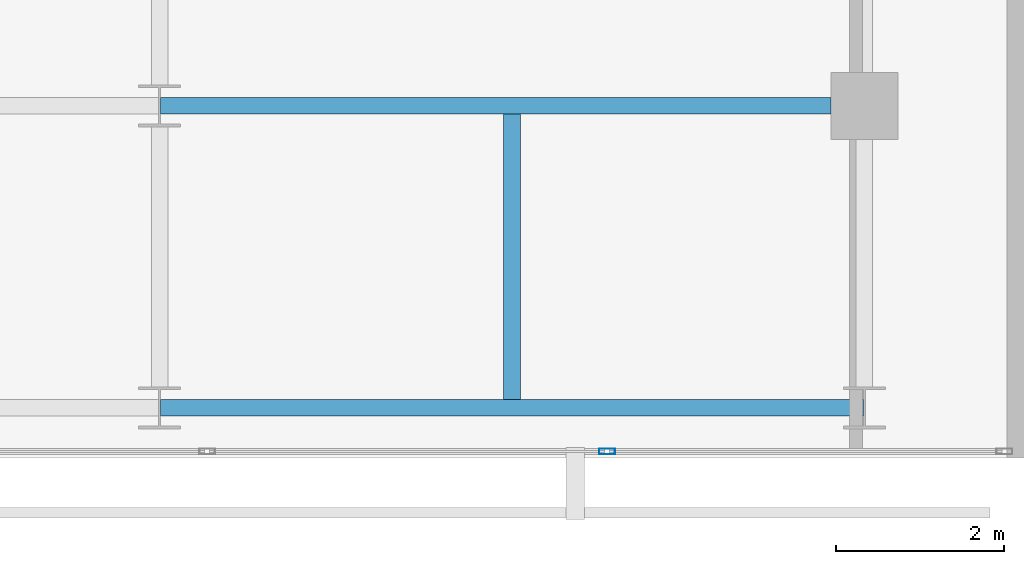
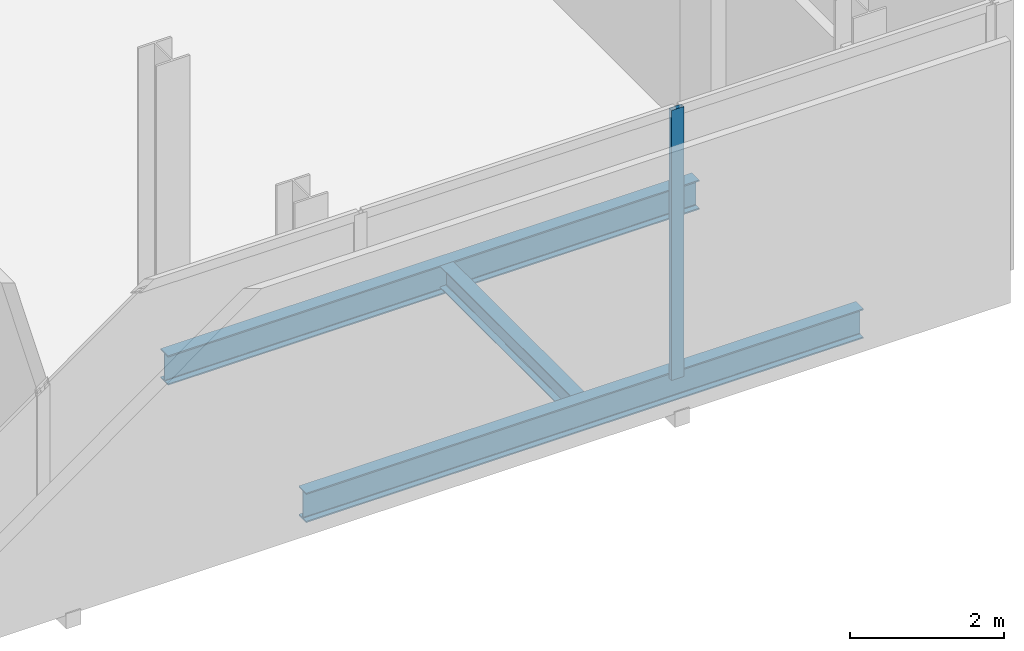
# One storey, part 5 of 23: 3 beams, 1 member, 1 element without a shape of its own.
"""IFC4 building model written with IfcOpenShell, lengths in metres."""

import ifcopenshell
import ifcopenshell.guid

model = None  # the IFC model being written
_history = None  # IfcOwnerHistory: only IFC2X3 demands one
_inside = {}  # id of a spatial element -> (the spatial element, [elements in it])
_under = {}  # id of a project, library or spatial element -> (it, [spatial elements below it])
_declared = {}  # id of a project -> (the project, [libraries it declares])
_typed = {}  # id of a type object -> (the type object, [elements of that type])
_made_of = {}  # id of a material, layer set ... -> (it, [elements and type objects made of it])


def new_model(schema):
    """Start an empty IFC model of exactly this schema.

    Asked for "IFC4X3", IfcOpenShell would pick the latest addendum, in which some entities
    have other attributes; the version numbers below select the first issue.
    IFC2X3 requires an IfcOwnerHistory on every rooted entity: one is made here for all.
    """
    global model, _history
    if schema == "IFC4X3":
        model = ifcopenshell.file(schema_version=(4, 3, 0, 0))
    else:
        model = ifcopenshell.file(schema=schema)
    _inside.clear()
    _under.clear()
    _declared.clear()
    _typed.clear()
    _made_of.clear()
    _history = None
    if model.schema == "IFC2X3":
        org = make("IfcOrganization", Name="unknown")
        user = make(
            "IfcPersonAndOrganization",
            ThePerson=make("IfcPerson", FamilyName="unknown"),
            TheOrganization=org,
        )
        app = make(
            "IfcApplication",
            ApplicationDeveloper=org,
            Version="unknown",
            ApplicationFullName="unknown",
            ApplicationIdentifier="unknown",
        )
        _history = make(
            "IfcOwnerHistory",
            OwningUser=user,
            OwningApplication=app,
            ChangeAction="ADDED",
            CreationDate=0,
        )
    return model


def make(cls, **values):
    """One entity of the class cls with the attributes given. An attribute that is None is left unset."""
    return model.create_entity(
        cls, **{name: value for name, value in values.items() if value is not None}
    )


def rooted(cls, **values):
    """An entity with a GlobalId (a new one), such as an element, a storey or a relation."""
    return make(cls, GlobalId=ifcopenshell.guid.new(), OwnerHistory=_history, **values)


def si_unit(unit_type, name, prefix=None):
    """IfcSIUnit, for example si_unit("LENGTHUNIT", "METRE", prefix="MILLI")."""
    return make("IfcSIUnit", UnitType=unit_type, Prefix=prefix, Name=name)


def assignment(units):
    """IfcUnitAssignment: the units of a project."""
    return None if units is None else make("IfcUnitAssignment", Units=units)


def point(xyz):
    """IfcCartesianPoint."""
    return None if xyz is None else make("IfcCartesianPoint", Coordinates=xyz)


def direction(xyz):
    """IfcDirection."""
    return None if xyz is None else make("IfcDirection", DirectionRatios=xyz)


def frame(location, z_axis=None, x_axis=None):
    """IfcAxis2Placement3D, a coordinate frame: its origin and axes. An axis left out is left unset."""
    return make(
        "IfcAxis2Placement3D",
        Location=point(location),
        Axis=direction(z_axis),
        RefDirection=direction(x_axis),
    )


def frame_2d(location, x_axis=None):
    """IfcAxis2Placement2D, a coordinate frame in the plane: its origin and x axis."""
    return make(
        "IfcAxis2Placement2D", Location=point(location), RefDirection=direction(x_axis)
    )


def origin():
    """The frame at (0, 0, 0) with its axes left unset."""
    return frame((0.0, 0.0, 0.0))


def origin_2d():
    """The frame at (0, 0) in the plane with its x axis left unset."""
    return frame_2d((0.0, 0.0))


def place(relative_to, where):
    """IfcLocalPlacement: puts the frame where relative to a parent placement (None: the world)."""
    return make(
        "IfcLocalPlacement", PlacementRelTo=relative_to, RelativePlacement=where
    )


def context(
    kind, dimensions, precision=None, world=None, true_north=None, identifier=None
):
    """IfcGeometricRepresentationContext, for example the 3D "Model" context."""
    return make(
        "IfcGeometricRepresentationContext",
        ContextIdentifier=identifier,
        ContextType=kind,
        CoordinateSpaceDimension=dimensions,
        Precision=precision,
        WorldCoordinateSystem=world,
        TrueNorth=true_north,
    )


def subcontext(parent, identifier, kind, view, scale=None):
    """IfcGeometricRepresentationSubContext, for example "Body" below "Model"."""
    return make(
        "IfcGeometricRepresentationSubContext",
        ContextIdentifier=identifier,
        ContextType=kind,
        ParentContext=parent,
        TargetScale=scale,
        TargetView=view,
    )


def project(units=None, contexts=None):
    """IfcProject with its units and contexts."""
    return rooted(
        "IfcProject",
        Name="project",
        RepresentationContexts=contexts,
        UnitsInContext=assignment(units),
    )


def spatial(cls, under=None, at=None, **own):
    """A site, building, storey or space (cls), placed at a placement, below another one or the project."""
    s = rooted(cls, ObjectPlacement=at, **own)
    if under is not None:
        _under.setdefault(under.id(), (under, []))[1].append(s)
    return s


def profile(cls, at=None, kind="AREA", **sizes):
    """A parametric profile (cls). Its sizes go by their IFC names, for example OverallWidth=200.0."""
    return make(cls, ProfileType=kind, Position=at, **sizes)


def hollow_rectangle(**sizes):
    """IfcRectangleHollowProfileDef."""
    return profile("IfcRectangleHollowProfileDef", **sizes)


def i_section(**sizes):
    """IfcIShapeProfileDef."""
    return profile("IfcIShapeProfileDef", **sizes)


def extrude(swept, where, along, depth):
    """IfcExtrudedAreaSolid: the profile swept, set in the frame where, extruded along a direction by depth."""
    return make(
        "IfcExtrudedAreaSolid",
        SweptArea=swept,
        Position=where,
        ExtrudedDirection=direction(along),
        Depth=depth,
    )


def shape(context_of_items, identifier, shape_type, items):
    """IfcShapeRepresentation: the items that make up one representation, for example the "Body"."""
    return make(
        "IfcShapeRepresentation",
        ContextOfItems=context_of_items,
        RepresentationIdentifier=identifier,
        RepresentationType=shape_type,
        Items=items,
    )


def material(Name=None, Category=None):
    """IfcMaterial."""
    return make("IfcMaterial", Name=Name, Category=Category)


def layer(
    of_material, thickness, ventilated=None, Name=None, Category=None, Priority=None
):
    """IfcMaterialLayer: one layer of a wall or slab, of a material (None: an air gap)."""
    return make(
        "IfcMaterialLayer",
        Material=of_material,
        LayerThickness=thickness,
        IsVentilated=ventilated,
        Name=Name,
        Category=Category,
        Priority=Priority,
    )


def layer_set(layers, Name=None):
    """IfcMaterialLayerSet."""
    return make("IfcMaterialLayerSet", MaterialLayers=layers, LayerSetName=Name)


def material_profile(
    of_material, cross_section, Name=None, Category=None, Priority=None
):
    """IfcMaterialProfile: a cross section and its material."""
    return make(
        "IfcMaterialProfile",
        Name=Name,
        Material=of_material,
        Profile=cross_section,
        Priority=Priority,
        Category=Category,
    )


def profile_set(profiles, Name=None, composite=None):
    """IfcMaterialProfileSet."""
    return make(
        "IfcMaterialProfileSet",
        Name=Name,
        MaterialProfiles=profiles,
        CompositeProfile=composite,
    )


def made_of(thing, what):
    """Note that an element or type object is made of a material, layer set ...; save() writes the relation."""
    if what is not None:
        _made_of.setdefault(what.id(), (what, []))[1].append(thing)
    return thing


def type_object(cls, material=None, **own):
    """A type object (cls), such as IfcWallType, which elements share."""
    return made_of(rooted(cls, **own), material)


def element(
    cls,
    number,
    at=None,
    inside=None,
    cuts=None,
    type_object=None,
    material=None,
    context=None,
    identifier="Body",
    shape_type=None,
    held_by="IfcProductDefinitionShape",
    body=None,
    shapes=None,
    **own,
):
    """One element of the class cls, such as IfcWall. Its Tag is "e" and its number.

    at: its placement. inside: the storey or other place that contains it. cuts: it is an
    opening in that element (IfcRelVoidsElement). A single representation is given by context,
    identifier, shape_type and body (its items); several are given by shapes. held_by: the class
    of the entity that holds the representations. save() writes the other relations.
    """
    e = rooted(cls, Tag="e%d" % number, ObjectPlacement=at, **own)
    if body is not None:
        shapes = [shape(context, identifier, shape_type, body)]
    if shapes is not None:
        e.Representation = make(held_by, Representations=shapes)
    if inside is not None:
        _inside.setdefault(inside.id(), (inside, []))[1].append(e)
    if cuts is not None:
        rooted(
            "IfcRelVoidsElement", RelatingBuildingElement=cuts, RelatedOpeningElement=e
        )
    if type_object is not None:
        _typed.setdefault(type_object.id(), (type_object, []))[1].append(e)
    return made_of(e, material)


def aggregate(whole, parts):
    """IfcRelAggregates: a whole, such as a stair, and the parts it consists of."""
    return rooted("IfcRelAggregates", RelatingObject=whole, RelatedObjects=parts)


def save(model, path):
    """Write the relations noted so far, then the file.

    IfcRelAggregates (storeys below a building ...), IfcRelContainedInSpatialStructure (elements
    in a storey), IfcRelDefinesByType, IfcRelAssociatesMaterial and IfcRelDeclares: one each for
    every whole, place, type object, material and project.
    """
    for whole, parts in _under.values():
        aggregate(whole, parts)
    for where, things in _inside.values():
        rooted(
            "IfcRelContainedInSpatialStructure",
            RelatedElements=things,
            RelatingStructure=where,
        )
    for kind, things in _typed.values():
        rooted("IfcRelDefinesByType", RelatedObjects=things, RelatingType=kind)
    for what, things in _made_of.values():
        rooted("IfcRelAssociatesMaterial", RelatedObjects=things, RelatingMaterial=what)
    for by, libraries in _declared.values():
        rooted("IfcRelDeclares", RelatingContext=by, RelatedDefinitions=libraries)
    model.write(path)


model = new_model("IFC4")

# Units and contexts
model_context = context("Model", 3, precision=1e-05, world=origin(), true_north=direction((0.0, 1.0)))
body_context = subcontext(model_context, "Body", "Model", "MODEL_VIEW")
ifc_project = project(units=[si_unit("LENGTHUNIT", "METRE"), si_unit("AREAUNIT", "SQUARE_METRE"), si_unit("VOLUMEUNIT", "CUBIC_METRE"), si_unit("PLANEANGLEUNIT", "RADIAN"), si_unit("MASSUNIT", "GRAM", prefix="KILO")], contexts=[model_context])

# Site, building, storey
site_placement = place(None, origin())
site = spatial("IfcSite", under=ifc_project, at=site_placement, CompositionType="ELEMENT")
building_placement = place(site_placement, origin())
building = spatial("IfcBuilding", under=site, at=building_placement, Name="Maruvema Waterfront Hotel and Observation Tower", CompositionType="ELEMENT")
storey_placement = place(building_placement, frame((0.0, 0.0, 349.64990234375)))
storey = spatial("IfcBuildingStorey", under=building, at=storey_placement, Name="L86", CompositionType="ELEMENT", Elevation=349.64990234375)

# Curtain wall, member
ifc_material_1 = material(Name="Anodised bronze aluminium and solar-control low-E IGU", Category="aluminium")
ifc_layer = layer(ifc_material_1, 0.159912109375, Name="Observation Crown Structural Glazed Curtain Wall System CW-06")
ifc_layer_set = layer_set([ifc_layer], Name="Anodised bronze aluminium and solar-control low-E IGU")
curtain_wall_type = type_object("IfcCurtainWallType", Name="Observation Crown Structural Glazed Curtain Wall System CW-06", PredefinedType="USERDEFINED", material=ifc_layer_set)
curtain_wall_placement = place(storey_placement, origin())
curtain_wall = element("IfcCurtainWall", 1, at=curtain_wall_placement, inside=storey, type_object=curtain_wall_type, Name="L86 Curtain Wall CW-L86-S", ObjectType="UNITISED CURTAIN WALL", PredefinedType="USERDEFINED")
ifc_material_2 = material(Name="Anodised architectural bronze aluminium", Category="aluminium")
ifc_material_profile_1 = material_profile(ifc_material_2, hollow_rectangle(XDim=0.070068359375, YDim=0.18994140625, WallThickness=0.00390625, at=origin_2d()), Name="ALU-M70x190")
ifc_profile_set_1 = profile_set([ifc_material_profile_1], Name="Anodised architectural bronze aluminium")
member_type = type_object("IfcMemberType", Name="Podium Storefront Heavy Mullion ALU-M70x190", PredefinedType="MULLION", material=ifc_profile_set_1)
member_placement = place(storey_placement, frame((47.333251953125, 13.8798828125, 0.0), z_axis=(0.0, 0.0, 1.0), x_axis=(0.0, 1.0, 0.0)))
member = element("IfcMember", 2, at=member_placement, type_object=member_type, Name="CW-06 mullion 6", PredefinedType="MULLION", context=body_context, shape_type="SweptSolid", body=[
    extrude(hollow_rectangle(XDim=0.070068359375, YDim=0.18994140625, WallThickness=0.00390625, at=origin_2d()), origin(), (0.0, 0.0, 1.0), 4.2900390625),
])
aggregate(curtain_wall, [member])

# Beams
ifc_material_3 = material(Name="Steel ASTM A572 Grade 50", Category="steel")
ifc_material_profile_2 = material_profile(ifc_material_3, i_section(OverallWidth=0.194091796875, OverallDepth=0.468994140625, WebThickness=0.0126953125, FlangeThickness=0.0205078125, FilletRadius=0.014892578125, at=origin_2d()), Name="W460x106.0")
ifc_profile_set_2 = profile_set([ifc_material_profile_2], Name="Steel ASTM A572 Grade 50")
beam_type_1 = type_object("IfcBeamType", Name="Primary Floor Girder W460x106.0", PredefinedType="BEAM", material=ifc_profile_set_2)
beam_1_placement = place(storey_placement, frame((42.010986328125, 14.39990234375, -0.474365234375), z_axis=(1.0, 0.0, 0.0), x_axis=(0.0, 1.0, 0.0)))
element("IfcBeam", 3, at=beam_1_placement, inside=storey, type_object=beam_type_1, Name="L86 Floor Girder EW-03", PredefinedType="BEAM", context=body_context, shape_type="SweptSolid", body=[
    extrude(i_section(OverallWidth=0.194091796875, OverallDepth=0.468994140625, WebThickness=0.0126953125, FlangeThickness=0.0205078125, FilletRadius=0.014892578125, at=origin_2d()), origin(), (0.0, 0.0, 1.0), 8.3779296875),
])
beam_2_placement = place(storey_placement, frame((42.010986328125, 18.0, -0.474365234375), z_axis=(1.0, 0.0, 0.0), x_axis=(0.0, 1.0, 0.0)))
element("IfcBeam", 4, at=beam_2_placement, inside=storey, type_object=beam_type_1, Name="L86 Floor Girder EW-06", PredefinedType="BEAM", context=body_context, shape_type="SweptSolid", body=[
    extrude(i_section(OverallWidth=0.194091796875, OverallDepth=0.468994140625, WebThickness=0.0126953125, FlangeThickness=0.0205078125, FilletRadius=0.014892578125, at=origin_2d()), origin(), (0.0, 0.0, 1.0), 7.989013671875),
])
ifc_material_4 = material(Name="Steel ASTM A572 Grade 50", Category="steel")
ifc_material_profile_3 = material_profile(ifc_material_4, i_section(OverallWidth=0.202880859375, OverallDepth=0.346923828125, WebThickness=0.0078125, FlangeThickness=0.013427734375, FilletRadius=0.014892578125, at=origin_2d()), Name="W360x64.0")
ifc_profile_set_3 = profile_set([ifc_material_profile_3], Name="Steel ASTM A572 Grade 50")
beam_type_2 = type_object("IfcBeamType", Name="Secondary Floor Joist W360x64.0", PredefinedType="JOIST", material=ifc_profile_set_3)
beam_3_placement = place(storey_placement, frame((46.199951171875, 14.4970703125, -0.413330078125), z_axis=(0.0, 1.0, 0.0), x_axis=(-1.0, 0.0, 0.0)))
element("IfcBeam", 5, at=beam_3_placement, inside=storey, type_object=beam_type_2, Name="L86 Secondary Floor Joist JS-05", PredefinedType="JOIST", context=body_context, shape_type="SweptSolid", body=[
    extrude(i_section(OverallWidth=0.202880859375, OverallDepth=0.346923828125, WebThickness=0.0078125, FlangeThickness=0.013427734375, FilletRadius=0.014892578125, at=origin_2d()), origin(), (0.0, 0.0, 1.0), 3.406005859375),
])

save(model, "model.ifc")
